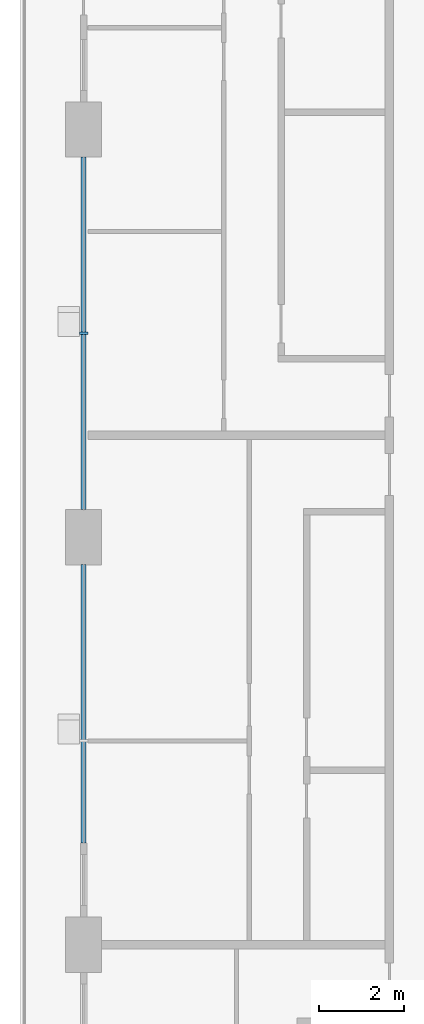
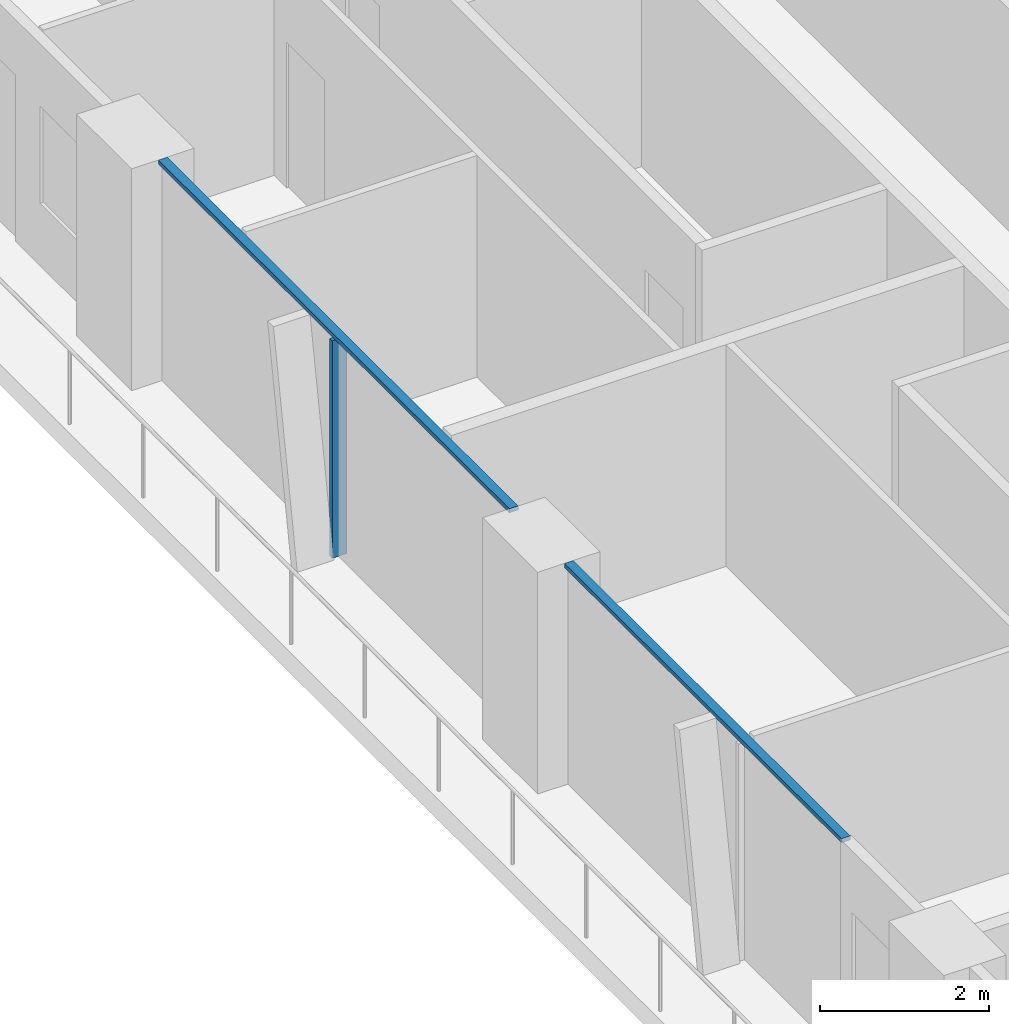
# One storey, part 3 of 22: 3 members, 2 elements without a shape of their own.
"""IFC4 building model written with IfcOpenShell, lengths in metres."""

import ifcopenshell
import ifcopenshell.guid

model = None  # the IFC model being written
_history = None  # IfcOwnerHistory: only IFC2X3 demands one
_inside = {}  # id of a spatial element -> (the spatial element, [elements in it])
_under = {}  # id of a project, library or spatial element -> (it, [spatial elements below it])
_declared = {}  # id of a project -> (the project, [libraries it declares])
_typed = {}  # id of a type object -> (the type object, [elements of that type])
_made_of = {}  # id of a material, layer set ... -> (it, [elements and type objects made of it])


def new_model(schema):
    """Start an empty IFC model of exactly this schema.

    Asked for "IFC4X3", IfcOpenShell would pick the latest addendum, in which some entities
    have other attributes; the version numbers below select the first issue.
    IFC2X3 requires an IfcOwnerHistory on every rooted entity: one is made here for all.
    """
    global model, _history
    if schema == "IFC4X3":
        model = ifcopenshell.file(schema_version=(4, 3, 0, 0))
    else:
        model = ifcopenshell.file(schema=schema)
    _inside.clear()
    _under.clear()
    _declared.clear()
    _typed.clear()
    _made_of.clear()
    _history = None
    if model.schema == "IFC2X3":
        org = make("IfcOrganization", Name="unknown")
        user = make(
            "IfcPersonAndOrganization",
            ThePerson=make("IfcPerson", FamilyName="unknown"),
            TheOrganization=org,
        )
        app = make(
            "IfcApplication",
            ApplicationDeveloper=org,
            Version="unknown",
            ApplicationFullName="unknown",
            ApplicationIdentifier="unknown",
        )
        _history = make(
            "IfcOwnerHistory",
            OwningUser=user,
            OwningApplication=app,
            ChangeAction="ADDED",
            CreationDate=0,
        )
    return model


def make(cls, **values):
    """One entity of the class cls with the attributes given. An attribute that is None is left unset."""
    return model.create_entity(
        cls, **{name: value for name, value in values.items() if value is not None}
    )


def rooted(cls, **values):
    """An entity with a GlobalId (a new one), such as an element, a storey or a relation."""
    return make(cls, GlobalId=ifcopenshell.guid.new(), OwnerHistory=_history, **values)


def si_unit(unit_type, name, prefix=None):
    """IfcSIUnit, for example si_unit("LENGTHUNIT", "METRE", prefix="MILLI")."""
    return make("IfcSIUnit", UnitType=unit_type, Prefix=prefix, Name=name)


def assignment(units):
    """IfcUnitAssignment: the units of a project."""
    return None if units is None else make("IfcUnitAssignment", Units=units)


def point(xyz):
    """IfcCartesianPoint."""
    return None if xyz is None else make("IfcCartesianPoint", Coordinates=xyz)


def direction(xyz):
    """IfcDirection."""
    return None if xyz is None else make("IfcDirection", DirectionRatios=xyz)


def frame(location, z_axis=None, x_axis=None):
    """IfcAxis2Placement3D, a coordinate frame: its origin and axes. An axis left out is left unset."""
    return make(
        "IfcAxis2Placement3D",
        Location=point(location),
        Axis=direction(z_axis),
        RefDirection=direction(x_axis),
    )


def frame_2d(location, x_axis=None):
    """IfcAxis2Placement2D, a coordinate frame in the plane: its origin and x axis."""
    return make(
        "IfcAxis2Placement2D", Location=point(location), RefDirection=direction(x_axis)
    )


def origin():
    """The frame at (0, 0, 0) with its axes left unset."""
    return frame((0.0, 0.0, 0.0))


def origin_2d():
    """The frame at (0, 0) in the plane with its x axis left unset."""
    return frame_2d((0.0, 0.0))


def place(relative_to, where):
    """IfcLocalPlacement: puts the frame where relative to a parent placement (None: the world)."""
    return make(
        "IfcLocalPlacement", PlacementRelTo=relative_to, RelativePlacement=where
    )


def context(
    kind, dimensions, precision=None, world=None, true_north=None, identifier=None
):
    """IfcGeometricRepresentationContext, for example the 3D "Model" context."""
    return make(
        "IfcGeometricRepresentationContext",
        ContextIdentifier=identifier,
        ContextType=kind,
        CoordinateSpaceDimension=dimensions,
        Precision=precision,
        WorldCoordinateSystem=world,
        TrueNorth=true_north,
    )


def subcontext(parent, identifier, kind, view, scale=None):
    """IfcGeometricRepresentationSubContext, for example "Body" below "Model"."""
    return make(
        "IfcGeometricRepresentationSubContext",
        ContextIdentifier=identifier,
        ContextType=kind,
        ParentContext=parent,
        TargetScale=scale,
        TargetView=view,
    )


def project(units=None, contexts=None):
    """IfcProject with its units and contexts."""
    return rooted(
        "IfcProject",
        Name="project",
        RepresentationContexts=contexts,
        UnitsInContext=assignment(units),
    )


def spatial(cls, under=None, at=None, **own):
    """A site, building, storey or space (cls), placed at a placement, below another one or the project."""
    s = rooted(cls, ObjectPlacement=at, **own)
    if under is not None:
        _under.setdefault(under.id(), (under, []))[1].append(s)
    return s


def profile(cls, at=None, kind="AREA", **sizes):
    """A parametric profile (cls). Its sizes go by their IFC names, for example OverallWidth=200.0."""
    return make(cls, ProfileType=kind, Position=at, **sizes)


def rectangle(**sizes):
    """IfcRectangleProfileDef."""
    return profile("IfcRectangleProfileDef", **sizes)


def extrude(swept, where, along, depth):
    """IfcExtrudedAreaSolid: the profile swept, set in the frame where, extruded along a direction by depth."""
    return make(
        "IfcExtrudedAreaSolid",
        SweptArea=swept,
        Position=where,
        ExtrudedDirection=direction(along),
        Depth=depth,
    )


def shape(context_of_items, identifier, shape_type, items):
    """IfcShapeRepresentation: the items that make up one representation, for example the "Body"."""
    return make(
        "IfcShapeRepresentation",
        ContextOfItems=context_of_items,
        RepresentationIdentifier=identifier,
        RepresentationType=shape_type,
        Items=items,
    )


def material(Name=None, Category=None):
    """IfcMaterial."""
    return make("IfcMaterial", Name=Name, Category=Category)


def layer(
    of_material, thickness, ventilated=None, Name=None, Category=None, Priority=None
):
    """IfcMaterialLayer: one layer of a wall or slab, of a material (None: an air gap)."""
    return make(
        "IfcMaterialLayer",
        Material=of_material,
        LayerThickness=thickness,
        IsVentilated=ventilated,
        Name=Name,
        Category=Category,
        Priority=Priority,
    )


def layer_set(layers, Name=None):
    """IfcMaterialLayerSet."""
    return make("IfcMaterialLayerSet", MaterialLayers=layers, LayerSetName=Name)


def material_profile(
    of_material, cross_section, Name=None, Category=None, Priority=None
):
    """IfcMaterialProfile: a cross section and its material."""
    return make(
        "IfcMaterialProfile",
        Name=Name,
        Material=of_material,
        Profile=cross_section,
        Priority=Priority,
        Category=Category,
    )


def profile_set(profiles, Name=None, composite=None):
    """IfcMaterialProfileSet."""
    return make(
        "IfcMaterialProfileSet",
        Name=Name,
        MaterialProfiles=profiles,
        CompositeProfile=composite,
    )


def made_of(thing, what):
    """Note that an element or type object is made of a material, layer set ...; save() writes the relation."""
    if what is not None:
        _made_of.setdefault(what.id(), (what, []))[1].append(thing)
    return thing


def type_object(cls, material=None, **own):
    """A type object (cls), such as IfcWallType, which elements share."""
    return made_of(rooted(cls, **own), material)


def element(
    cls,
    number,
    at=None,
    inside=None,
    cuts=None,
    type_object=None,
    material=None,
    context=None,
    identifier="Body",
    shape_type=None,
    held_by="IfcProductDefinitionShape",
    body=None,
    shapes=None,
    **own,
):
    """One element of the class cls, such as IfcWall. Its Tag is "e" and its number.

    at: its placement. inside: the storey or other place that contains it. cuts: it is an
    opening in that element (IfcRelVoidsElement). A single representation is given by context,
    identifier, shape_type and body (its items); several are given by shapes. held_by: the class
    of the entity that holds the representations. save() writes the other relations.
    """
    e = rooted(cls, Tag="e%d" % number, ObjectPlacement=at, **own)
    if body is not None:
        shapes = [shape(context, identifier, shape_type, body)]
    if shapes is not None:
        e.Representation = make(held_by, Representations=shapes)
    if inside is not None:
        _inside.setdefault(inside.id(), (inside, []))[1].append(e)
    if cuts is not None:
        rooted(
            "IfcRelVoidsElement", RelatingBuildingElement=cuts, RelatedOpeningElement=e
        )
    if type_object is not None:
        _typed.setdefault(type_object.id(), (type_object, []))[1].append(e)
    return made_of(e, material)


def aggregate(whole, parts):
    """IfcRelAggregates: a whole, such as a stair, and the parts it consists of."""
    return rooted("IfcRelAggregates", RelatingObject=whole, RelatedObjects=parts)


def save(model, path):
    """Write the relations noted so far, then the file.

    IfcRelAggregates (storeys below a building ...), IfcRelContainedInSpatialStructure (elements
    in a storey), IfcRelDefinesByType, IfcRelAssociatesMaterial and IfcRelDeclares: one each for
    every whole, place, type object, material and project.
    """
    for whole, parts in _under.values():
        aggregate(whole, parts)
    for where, things in _inside.values():
        rooted(
            "IfcRelContainedInSpatialStructure",
            RelatedElements=things,
            RelatingStructure=where,
        )
    for kind, things in _typed.values():
        rooted("IfcRelDefinesByType", RelatedObjects=things, RelatingType=kind)
    for what, things in _made_of.values():
        rooted("IfcRelAssociatesMaterial", RelatedObjects=things, RelatingMaterial=what)
    for by, libraries in _declared.values():
        rooted("IfcRelDeclares", RelatingContext=by, RelatedDefinitions=libraries)
    model.write(path)


model = new_model("IFC4")

# Units and contexts
model_context = context("Model", 3, precision=1e-05, world=origin(), true_north=direction((0.0, 1.0)))
body_context = subcontext(model_context, "Body", "Model", "MODEL_VIEW")
ifc_project = project(units=[si_unit("LENGTHUNIT", "METRE"), si_unit("AREAUNIT", "SQUARE_METRE"), si_unit("VOLUMEUNIT", "CUBIC_METRE"), si_unit("PLANEANGLEUNIT", "RADIAN"), si_unit("MASSUNIT", "GRAM", prefix="KILO")], contexts=[model_context])

# Site, building, storey
site_placement = place(None, origin())
site = spatial("IfcSite", under=ifc_project, at=site_placement, CompositionType="ELEMENT")
building_placement = place(site_placement, origin())
building = spatial("IfcBuilding", under=site, at=building_placement, Name="Madar Terraces", CompositionType="ELEMENT")
storey_placement = place(building_placement, frame((0.0, 0.0, 76.800048828125)))
storey = spatial("IfcBuildingStorey", under=building, at=storey_placement, Name="L19", CompositionType="ELEMENT", Elevation=76.800048828125)

# Curtain wall, members
ifc_material_1 = material(Name="Glass, ceramic frit dark grey, with black aluminium frame", Category="aluminium")
ifc_layer = layer(ifc_material_1, 0.199951171875)
ifc_layer_set = layer_set([ifc_layer], Name="Facade curtain wall, fritted glass")
curtain_wall_type = type_object("IfcCurtainWallType", Name="Facade curtain wall, fritted glass", PredefinedType="NOTDEFINED", material=ifc_layer_set)
curtain_wall_1_placement = place(storey_placement, origin())
curtain_wall_1 = element("IfcCurtainWall", 1, at=curtain_wall_1_placement, inside=storey, type_object=curtain_wall_type, Name="Outer skin curtain wall west bay 2", PredefinedType="NOTDEFINED")
ifc_material_2 = material(Name="Aluminium, black anodised", Category="aluminium")
ifc_material_profile_1 = material_profile(ifc_material_2, rectangle(XDim=0.199951171875, YDim=0.06005859375, at=origin_2d()), Name="Facade mullion 60x200")
ifc_profile_set_1 = profile_set([ifc_material_profile_1], Name="Aluminium, black anodised")
member_type_1 = type_object("IfcMemberType", Name="Facade mullion 60x200", PredefinedType="MULLION", material=ifc_profile_set_1)
member_1_placement = place(storey_placement, frame((4.800048828125, 28.800048828125, 0.0), z_axis=(0.0, 0.0, 1.0), x_axis=(1.0, 0.0, 0.0)))
member_1 = element("IfcMember", 2, at=member_1_placement, type_object=member_type_1, Name="Mullion 1", PredefinedType="MULLION", context=body_context, shape_type="SweptSolid", body=[
    extrude(rectangle(XDim=0.199951171875, YDim=0.06005859375, at=origin_2d()), origin(), (0.0, 0.0, 1.0), 3.139892578125),
])
ifc_material_3 = material(Name="Aluminium, black anodised", Category="aluminium")
ifc_material_profile_2 = material_profile(ifc_material_3, rectangle(XDim=0.1201171875, YDim=0.06005859375, at=origin_2d()), Name="Facade transom 60x120")
ifc_profile_set_2 = profile_set([ifc_material_profile_2], Name="Aluminium, black anodised")
member_type_2 = type_object("IfcMemberType", Name="Facade transom 60x120", PredefinedType="USERDEFINED", material=ifc_profile_set_2)
member_2_placement = place(storey_placement, frame((4.800048828125, 32.949951171875, 3.169921875), z_axis=(0.0, -1.0, 0.0), x_axis=(1.0, 0.0, 0.0)))
member_2 = element("IfcMember", 3, at=member_2_placement, type_object=member_type_2, Name="Transom 1", ObjectType="TRANSOM", PredefinedType="USERDEFINED", context=body_context, shape_type="SweptSolid", body=[
    extrude(rectangle(XDim=0.1201171875, YDim=0.06005859375, at=origin_2d()), origin(), (0.0, 0.0, 1.0), 8.300048828125),
])
aggregate(curtain_wall_1, [member_1, member_2])

# Curtain wall, member
curtain_wall_2_placement = place(storey_placement, origin())
curtain_wall_2 = element("IfcCurtainWall", 4, at=curtain_wall_2_placement, inside=storey, type_object=curtain_wall_type, Name="Outer skin curtain wall west bay 3", PredefinedType="NOTDEFINED")
member_3_placement = place(storey_placement, frame((4.800048828125, 23.35009765625, 3.169921875), z_axis=(0.0, -1.0, 0.0), x_axis=(1.0, 0.0, 0.0)))
member_3 = element("IfcMember", 5, at=member_3_placement, type_object=member_type_2, Name="Transom 1", ObjectType="TRANSOM", PredefinedType="USERDEFINED", context=body_context, shape_type="SweptSolid", body=[
    extrude(rectangle(XDim=0.1201171875, YDim=0.06005859375, at=origin_2d()), origin(), (0.0, 0.0, 1.0), 6.550048828125),
])
aggregate(curtain_wall_2, [member_3])

save(model, "model.ifc")
